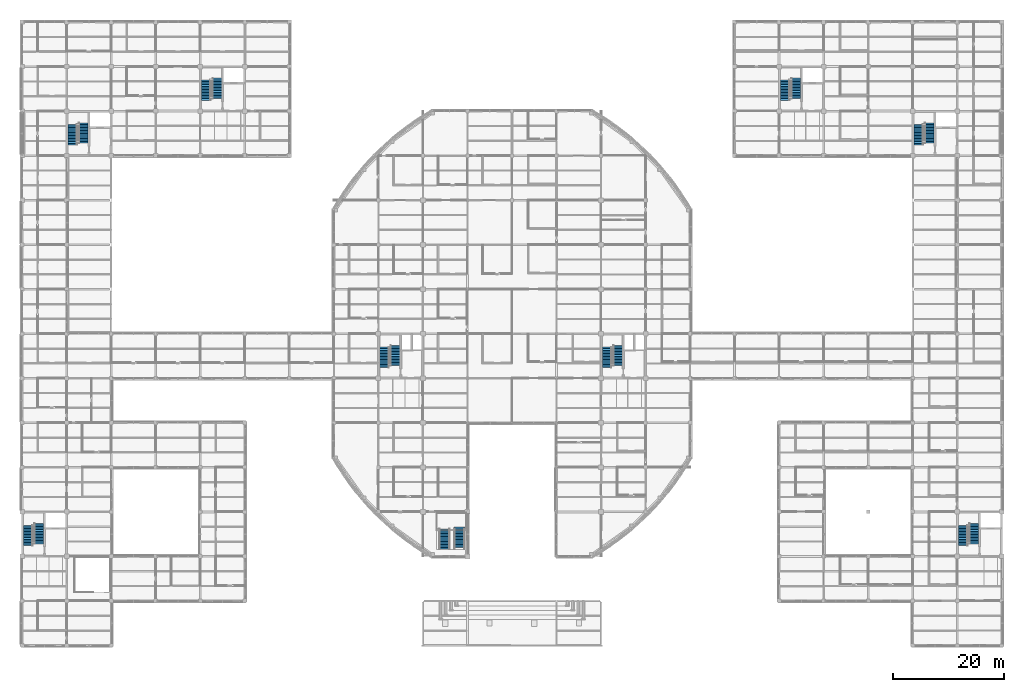
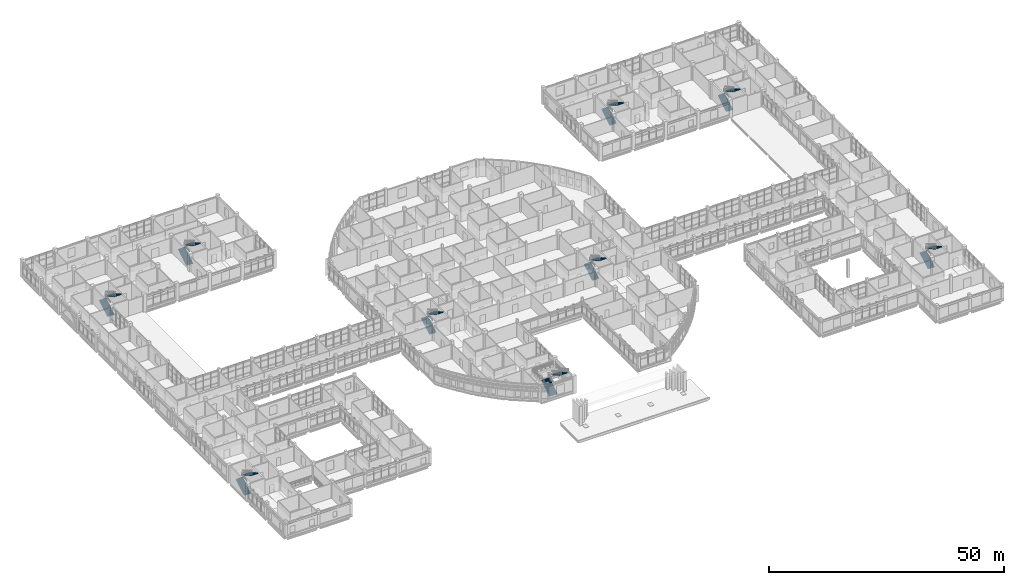
# One storey, part 98 of 121: 18 stair flights, 9 elements without a shape of their own.
"""IFC4 building model written with IfcOpenShell, lengths in metres."""

from ifc_helpers import new_model, si_unit, derived_unit, direction, frame, origin, place, context, subcontext, project, spatial, polyline, outline, extrude, material, type_object, element, aggregate, save


model = new_model("IFC4")

# Units and contexts
model_context = context("Model", 3, precision=1e-05, world=origin(), true_north=direction((0.0, 1.0)))
body_context = subcontext(model_context, "Body", "Model", "MODEL_VIEW")
ifc_project = project(units=[si_unit("LENGTHUNIT", "METRE"), si_unit("AREAUNIT", "SQUARE_METRE"), si_unit("VOLUMEUNIT", "CUBIC_METRE"), si_unit("PLANEANGLEUNIT", "RADIAN"), si_unit("MASSUNIT", "GRAM", prefix="KILO"), derived_unit("THERMALTRANSMITTANCEUNIT", [(si_unit("MASSUNIT", "GRAM", prefix="KILO"), 1), (si_unit("TIMEUNIT", "SECOND"), -3), (si_unit("THERMODYNAMICTEMPERATUREUNIT", "KELVIN"), -1)])], contexts=[model_context])

# Site, building, storey
site_placement = place(None, origin())
site = spatial("IfcSite", under=ifc_project, at=site_placement, CompositionType="ELEMENT")
building_placement = place(site_placement, origin())
building = spatial("IfcBuilding", under=site, at=building_placement, Name="Veyamyaing Civic Hall", CompositionType="ELEMENT")
storey_placement = place(building_placement, frame((0.0, 0.0, 5.280029296875)))
storey = spatial("IfcBuildingStorey", under=building, at=storey_placement, Name="L01", CompositionType="ELEMENT", Elevation=5.280029296875)

# Stair, stair flights
ifc_material = material(Name="Concrete C40/50", Category="concrete")
stair_type_1 = type_object("IfcStairType", Name="ST-C", PredefinedType="HALF_TURN_STAIR", material=ifc_material)
stair_1_placement = place(storey_placement, origin())
stair_1 = element("IfcStair", 1, at=stair_1_placement, inside=storey, type_object=stair_type_1, Name="Protected exit stair ST-01 L01", PredefinedType="HALF_TURN_STAIR")
stair_flight_type_1 = type_object("IfcStairFlightType", Name="SF-14", PredefinedType="STRAIGHT", material=ifc_material)
stair_flight_1_placement = place(storey_placement, frame((9.0400390625, 89.949951171875, 0.0), z_axis=(0.0, 0.0, 1.0), x_axis=(0.0, 1.0, 0.0)))
stair_flight_1 = element("IfcStairFlight", 2, at=stair_flight_1_placement, type_object=stair_flight_type_1, Name="ST-01 flight 1", NumberOfRisers=14, NumberOfTreads=13, PredefinedType="STRAIGHT", RiserHeight=0.165, TreadLength=0.28, context=body_context, shape_type="SweptSolid", body=[
    extrude(outline(polyline([(0.0, 0.0), (0.0, 0.1650390625), (0.280029296875, 0.1650390625), (0.280029296875, 0.330078125), (0.56005859375, 0.330078125), (0.56005859375, 0.4951171875), (0.840087890625, 0.4951171875), (0.840087890625, 0.659912109375), (1.1201171875, 0.659912109375), (1.1201171875, 0.824951171875), (1.39990234375, 0.824951171875), (1.39990234375, 0.989990234375), (1.679931640625, 0.989990234375), (1.679931640625, 1.155029296875), (1.9599609375, 1.155029296875), (1.9599609375, 1.320068359375), (2.239990234375, 1.320068359375), (2.239990234375, 1.485107421875), (2.52001953125, 1.485107421875), (2.52001953125, 1.64990234375), (2.800048828125, 1.64990234375), (2.800048828125, 1.81494140625), (3.080078125, 1.81494140625), (3.080078125, 1.97998046875), (3.360107421875, 1.97998046875), (3.360107421875, 2.14501953125), (3.639892578125, 2.14501953125), (3.639892578125, 2.31005859375), (3.639892578125, 1.970947265625), (0.295166015625, 0.0), (0.0, 0.0)])), frame((0.0, 0.81982421875, 0.0), z_axis=(0.0, -1.0, 0.0), x_axis=(1.0, 0.0, 0.0)), (0.0, 0.0, 1.0), 1.639892578125),
])
stair_flight_2_placement = place(storey_placement, frame((11.030029296875, 93.909912109375, 2.31005859375), z_axis=(0.0, 0.0, 1.0), x_axis=(0.0, -1.0, 0.0)))
stair_flight_2 = element("IfcStairFlight", 3, at=stair_flight_2_placement, type_object=stair_flight_type_1, Name="ST-01 flight 2", NumberOfRisers=14, NumberOfTreads=13, PredefinedType="STRAIGHT", RiserHeight=0.165, TreadLength=0.28, context=body_context, shape_type="SweptSolid", body=[
    extrude(outline(polyline([(0.0, 0.0), (0.0, 0.1650390625), (0.280029296875, 0.1650390625), (0.280029296875, 0.330078125), (0.56005859375, 0.330078125), (0.56005859375, 0.4951171875), (0.840087890625, 0.4951171875), (0.840087890625, 0.659912109375), (1.1201171875, 0.659912109375), (1.1201171875, 0.824951171875), (1.39990234375, 0.824951171875), (1.39990234375, 0.989990234375), (1.679931640625, 0.989990234375), (1.679931640625, 1.155029296875), (1.9599609375, 1.155029296875), (1.9599609375, 1.320068359375), (2.239990234375, 1.320068359375), (2.239990234375, 1.485107421875), (2.52001953125, 1.485107421875), (2.52001953125, 1.64990234375), (2.800048828125, 1.64990234375), (2.800048828125, 1.81494140625), (3.080078125, 1.81494140625), (3.080078125, 1.97998046875), (3.360107421875, 1.97998046875), (3.360107421875, 2.14501953125), (3.639892578125, 2.14501953125), (3.639892578125, 2.31005859375), (3.639892578125, 1.970947265625), (0.295166015625, 0.0), (0.0, 0.0)])), frame((0.0, 0.81982421875, 0.0), z_axis=(0.0, -1.0, 0.0), x_axis=(1.0, 0.0, 0.0)), (0.0, 0.0, 1.0), 1.639892578125),
])
aggregate(stair_1, [stair_flight_1, stair_flight_2])

stair_2_placement = place(storey_placement, origin())
stair_2 = element("IfcStair", 4, at=stair_2_placement, inside=storey, type_object=stair_type_1, Name="Protected exit stair ST-02 L01", PredefinedType="HALF_TURN_STAIR")
stair_flight_3_placement = place(storey_placement, frame((33.0400390625, 97.949951171875, 0.0), z_axis=(0.0, 0.0, 1.0), x_axis=(0.0, 1.0, 0.0)))
stair_flight_3 = element("IfcStairFlight", 5, at=stair_flight_3_placement, type_object=stair_flight_type_1, Name="ST-02 flight 1", NumberOfRisers=14, NumberOfTreads=13, PredefinedType="STRAIGHT", RiserHeight=0.165, TreadLength=0.28, context=body_context, shape_type="SweptSolid", body=[
    extrude(outline(polyline([(0.0, 0.0), (0.0, 0.1650390625), (0.280029296875, 0.1650390625), (0.280029296875, 0.330078125), (0.56005859375, 0.330078125), (0.56005859375, 0.4951171875), (0.840087890625, 0.4951171875), (0.840087890625, 0.659912109375), (1.1201171875, 0.659912109375), (1.1201171875, 0.824951171875), (1.39990234375, 0.824951171875), (1.39990234375, 0.989990234375), (1.679931640625, 0.989990234375), (1.679931640625, 1.155029296875), (1.9599609375, 1.155029296875), (1.9599609375, 1.320068359375), (2.239990234375, 1.320068359375), (2.239990234375, 1.485107421875), (2.52001953125, 1.485107421875), (2.52001953125, 1.64990234375), (2.800048828125, 1.64990234375), (2.800048828125, 1.81494140625), (3.080078125, 1.81494140625), (3.080078125, 1.97998046875), (3.360107421875, 1.97998046875), (3.360107421875, 2.14501953125), (3.639892578125, 2.14501953125), (3.639892578125, 2.31005859375), (3.639892578125, 1.970947265625), (0.295166015625, 0.0), (0.0, 0.0)])), frame((0.0, 0.81982421875, 0.0), z_axis=(0.0, -1.0, 0.0), x_axis=(1.0, 0.0, 0.0)), (0.0, 0.0, 1.0), 1.639892578125),
])
stair_flight_4_placement = place(storey_placement, frame((35.030029296875, 101.909912109375, 2.31005859375), z_axis=(0.0, 0.0, 1.0), x_axis=(0.0, -1.0, 0.0)))
stair_flight_4 = element("IfcStairFlight", 6, at=stair_flight_4_placement, type_object=stair_flight_type_1, Name="ST-02 flight 2", NumberOfRisers=14, NumberOfTreads=13, PredefinedType="STRAIGHT", RiserHeight=0.165, TreadLength=0.28, context=body_context, shape_type="SweptSolid", body=[
    extrude(outline(polyline([(0.0, 0.0), (0.0, 0.1650390625), (0.280029296875, 0.1650390625), (0.280029296875, 0.330078125), (0.56005859375, 0.330078125), (0.56005859375, 0.4951171875), (0.840087890625, 0.4951171875), (0.840087890625, 0.659912109375), (1.1201171875, 0.659912109375), (1.1201171875, 0.824951171875), (1.39990234375, 0.824951171875), (1.39990234375, 0.989990234375), (1.679931640625, 0.989990234375), (1.679931640625, 1.155029296875), (1.9599609375, 1.155029296875), (1.9599609375, 1.320068359375), (2.239990234375, 1.320068359375), (2.239990234375, 1.485107421875), (2.52001953125, 1.485107421875), (2.52001953125, 1.64990234375), (2.800048828125, 1.64990234375), (2.800048828125, 1.81494140625), (3.080078125, 1.81494140625), (3.080078125, 1.97998046875), (3.360107421875, 1.97998046875), (3.360107421875, 2.14501953125), (3.639892578125, 2.14501953125), (3.639892578125, 2.31005859375), (3.639892578125, 1.970947265625), (0.295166015625, 0.0), (0.0, 0.0)])), frame((0.0, 0.81982421875, 0.0), z_axis=(0.0, -1.0, 0.0), x_axis=(1.0, 0.0, 0.0)), (0.0, 0.0, 1.0), 1.639892578125),
])
aggregate(stair_2, [stair_flight_3, stair_flight_4])

stair_3_placement = place(storey_placement, origin())
stair_3 = element("IfcStair", 7, at=stair_3_placement, inside=storey, type_object=stair_type_1, Name="Protected exit stair ST-03 L01", PredefinedType="HALF_TURN_STAIR")
stair_flight_5_placement = place(storey_placement, frame((161.0400390625, 89.949951171875, 0.0), z_axis=(0.0, 0.0, 1.0), x_axis=(0.0, 1.0, 0.0)))
stair_flight_5 = element("IfcStairFlight", 8, at=stair_flight_5_placement, type_object=stair_flight_type_1, Name="ST-03 flight 1", NumberOfRisers=14, NumberOfTreads=13, PredefinedType="STRAIGHT", RiserHeight=0.165, TreadLength=0.28, context=body_context, shape_type="SweptSolid", body=[
    extrude(outline(polyline([(0.0, 0.0), (0.0, 0.1650390625), (0.280029296875, 0.1650390625), (0.280029296875, 0.330078125), (0.56005859375, 0.330078125), (0.56005859375, 0.4951171875), (0.840087890625, 0.4951171875), (0.840087890625, 0.659912109375), (1.1201171875, 0.659912109375), (1.1201171875, 0.824951171875), (1.39990234375, 0.824951171875), (1.39990234375, 0.989990234375), (1.679931640625, 0.989990234375), (1.679931640625, 1.155029296875), (1.9599609375, 1.155029296875), (1.9599609375, 1.320068359375), (2.239990234375, 1.320068359375), (2.239990234375, 1.485107421875), (2.52001953125, 1.485107421875), (2.52001953125, 1.64990234375), (2.800048828125, 1.64990234375), (2.800048828125, 1.81494140625), (3.080078125, 1.81494140625), (3.080078125, 1.97998046875), (3.360107421875, 1.97998046875), (3.360107421875, 2.14501953125), (3.639892578125, 2.14501953125), (3.639892578125, 2.31005859375), (3.639892578125, 1.970947265625), (0.295166015625, 0.0), (0.0, 0.0)])), frame((0.0, 0.81982421875, 0.0), z_axis=(0.0, -1.0, 0.0), x_axis=(1.0, 0.0, 0.0)), (0.0, 0.0, 1.0), 1.639892578125),
])
stair_flight_6_placement = place(storey_placement, frame((163.030029296875, 93.909912109375, 2.31005859375), z_axis=(0.0, 0.0, 1.0), x_axis=(0.0, -1.0, 0.0)))
stair_flight_6 = element("IfcStairFlight", 9, at=stair_flight_6_placement, type_object=stair_flight_type_1, Name="ST-03 flight 2", NumberOfRisers=14, NumberOfTreads=13, PredefinedType="STRAIGHT", RiserHeight=0.165, TreadLength=0.28, context=body_context, shape_type="SweptSolid", body=[
    extrude(outline(polyline([(0.0, 0.0), (0.0, 0.1650390625), (0.280029296875, 0.1650390625), (0.280029296875, 0.330078125), (0.56005859375, 0.330078125), (0.56005859375, 0.4951171875), (0.840087890625, 0.4951171875), (0.840087890625, 0.659912109375), (1.1201171875, 0.659912109375), (1.1201171875, 0.824951171875), (1.39990234375, 0.824951171875), (1.39990234375, 0.989990234375), (1.679931640625, 0.989990234375), (1.679931640625, 1.155029296875), (1.9599609375, 1.155029296875), (1.9599609375, 1.320068359375), (2.239990234375, 1.320068359375), (2.239990234375, 1.485107421875), (2.52001953125, 1.485107421875), (2.52001953125, 1.64990234375), (2.800048828125, 1.64990234375), (2.800048828125, 1.81494140625), (3.080078125, 1.81494140625), (3.080078125, 1.97998046875), (3.360107421875, 1.97998046875), (3.360107421875, 2.14501953125), (3.639892578125, 2.14501953125), (3.639892578125, 2.31005859375), (3.639892578125, 1.970947265625), (0.295166015625, 0.0), (0.0, 0.0)])), frame((0.0, 0.81982421875, 0.0), z_axis=(0.0, -1.0, 0.0), x_axis=(1.0, 0.0, 0.0)), (0.0, 0.0, 1.0), 1.639892578125),
])
aggregate(stair_3, [stair_flight_5, stair_flight_6])

stair_4_placement = place(storey_placement, origin())
stair_4 = element("IfcStair", 10, at=stair_4_placement, inside=storey, type_object=stair_type_1, Name="Protected exit stair ST-04 L01", PredefinedType="HALF_TURN_STAIR")
stair_flight_7_placement = place(storey_placement, frame((137.0400390625, 97.949951171875, 0.0), z_axis=(0.0, 0.0, 1.0), x_axis=(0.0, 1.0, 0.0)))
stair_flight_7 = element("IfcStairFlight", 11, at=stair_flight_7_placement, type_object=stair_flight_type_1, Name="ST-04 flight 1", NumberOfRisers=14, NumberOfTreads=13, PredefinedType="STRAIGHT", RiserHeight=0.165, TreadLength=0.28, context=body_context, shape_type="SweptSolid", body=[
    extrude(outline(polyline([(0.0, 0.0), (0.0, 0.1650390625), (0.280029296875, 0.1650390625), (0.280029296875, 0.330078125), (0.56005859375, 0.330078125), (0.56005859375, 0.4951171875), (0.840087890625, 0.4951171875), (0.840087890625, 0.659912109375), (1.1201171875, 0.659912109375), (1.1201171875, 0.824951171875), (1.39990234375, 0.824951171875), (1.39990234375, 0.989990234375), (1.679931640625, 0.989990234375), (1.679931640625, 1.155029296875), (1.9599609375, 1.155029296875), (1.9599609375, 1.320068359375), (2.239990234375, 1.320068359375), (2.239990234375, 1.485107421875), (2.52001953125, 1.485107421875), (2.52001953125, 1.64990234375), (2.800048828125, 1.64990234375), (2.800048828125, 1.81494140625), (3.080078125, 1.81494140625), (3.080078125, 1.97998046875), (3.360107421875, 1.97998046875), (3.360107421875, 2.14501953125), (3.639892578125, 2.14501953125), (3.639892578125, 2.31005859375), (3.639892578125, 1.970947265625), (0.295166015625, 0.0), (0.0, 0.0)])), frame((0.0, 0.81982421875, 0.0), z_axis=(0.0, -1.0, 0.0), x_axis=(1.0, 0.0, 0.0)), (0.0, 0.0, 1.0), 1.639892578125),
])
stair_flight_8_placement = place(storey_placement, frame((139.030029296875, 101.909912109375, 2.31005859375), z_axis=(0.0, 0.0, 1.0), x_axis=(0.0, -1.0, 0.0)))
stair_flight_8 = element("IfcStairFlight", 12, at=stair_flight_8_placement, type_object=stair_flight_type_1, Name="ST-04 flight 2", NumberOfRisers=14, NumberOfTreads=13, PredefinedType="STRAIGHT", RiserHeight=0.165, TreadLength=0.28, context=body_context, shape_type="SweptSolid", body=[
    extrude(outline(polyline([(0.0, 0.0), (0.0, 0.1650390625), (0.280029296875, 0.1650390625), (0.280029296875, 0.330078125), (0.56005859375, 0.330078125), (0.56005859375, 0.4951171875), (0.840087890625, 0.4951171875), (0.840087890625, 0.659912109375), (1.1201171875, 0.659912109375), (1.1201171875, 0.824951171875), (1.39990234375, 0.824951171875), (1.39990234375, 0.989990234375), (1.679931640625, 0.989990234375), (1.679931640625, 1.155029296875), (1.9599609375, 1.155029296875), (1.9599609375, 1.320068359375), (2.239990234375, 1.320068359375), (2.239990234375, 1.485107421875), (2.52001953125, 1.485107421875), (2.52001953125, 1.64990234375), (2.800048828125, 1.64990234375), (2.800048828125, 1.81494140625), (3.080078125, 1.81494140625), (3.080078125, 1.97998046875), (3.360107421875, 1.97998046875), (3.360107421875, 2.14501953125), (3.639892578125, 2.14501953125), (3.639892578125, 2.31005859375), (3.639892578125, 1.970947265625), (0.295166015625, 0.0), (0.0, 0.0)])), frame((0.0, 0.81982421875, 0.0), z_axis=(0.0, -1.0, 0.0), x_axis=(1.0, 0.0, 0.0)), (0.0, 0.0, 1.0), 1.639892578125),
])
aggregate(stair_4, [stair_flight_7, stair_flight_8])

stair_5_placement = place(storey_placement, origin())
stair_5 = element("IfcStair", 13, at=stair_5_placement, inside=storey, type_object=stair_type_1, Name="Protected exit stair ST-05 L01", PredefinedType="HALF_TURN_STAIR")
stair_flight_9_placement = place(storey_placement, frame((65.0400390625, 49.949951171875, 0.0), z_axis=(0.0, 0.0, 1.0), x_axis=(0.0, 1.0, 0.0)))
stair_flight_9 = element("IfcStairFlight", 14, at=stair_flight_9_placement, type_object=stair_flight_type_1, Name="ST-05 flight 1", NumberOfRisers=14, NumberOfTreads=13, PredefinedType="STRAIGHT", RiserHeight=0.165, TreadLength=0.28, context=body_context, shape_type="SweptSolid", body=[
    extrude(outline(polyline([(0.0, 0.0), (0.0, 0.1650390625), (0.280029296875, 0.1650390625), (0.280029296875, 0.330078125), (0.56005859375, 0.330078125), (0.56005859375, 0.4951171875), (0.840087890625, 0.4951171875), (0.840087890625, 0.659912109375), (1.1201171875, 0.659912109375), (1.1201171875, 0.824951171875), (1.39990234375, 0.824951171875), (1.39990234375, 0.989990234375), (1.679931640625, 0.989990234375), (1.679931640625, 1.155029296875), (1.9599609375, 1.155029296875), (1.9599609375, 1.320068359375), (2.239990234375, 1.320068359375), (2.239990234375, 1.485107421875), (2.52001953125, 1.485107421875), (2.52001953125, 1.64990234375), (2.800048828125, 1.64990234375), (2.800048828125, 1.81494140625), (3.080078125, 1.81494140625), (3.080078125, 1.97998046875), (3.360107421875, 1.97998046875), (3.360107421875, 2.14501953125), (3.639892578125, 2.14501953125), (3.639892578125, 2.31005859375), (3.639892578125, 1.970947265625), (0.295166015625, 0.0), (0.0, 0.0)])), frame((0.0, 0.81982421875, 0.0), z_axis=(0.0, -1.0, 0.0), x_axis=(1.0, 0.0, 0.0)), (0.0, 0.0, 1.0), 1.639892578125),
])
stair_flight_10_placement = place(storey_placement, frame((67.030029296875, 53.909912109375, 2.31005859375), z_axis=(0.0, 0.0, 1.0), x_axis=(0.0, -1.0, 0.0)))
stair_flight_10 = element("IfcStairFlight", 15, at=stair_flight_10_placement, type_object=stair_flight_type_1, Name="ST-05 flight 2", NumberOfRisers=14, NumberOfTreads=13, PredefinedType="STRAIGHT", RiserHeight=0.165, TreadLength=0.28, context=body_context, shape_type="SweptSolid", body=[
    extrude(outline(polyline([(0.0, 0.0), (0.0, 0.1650390625), (0.280029296875, 0.1650390625), (0.280029296875, 0.330078125), (0.56005859375, 0.330078125), (0.56005859375, 0.4951171875), (0.840087890625, 0.4951171875), (0.840087890625, 0.659912109375), (1.1201171875, 0.659912109375), (1.1201171875, 0.824951171875), (1.39990234375, 0.824951171875), (1.39990234375, 0.989990234375), (1.679931640625, 0.989990234375), (1.679931640625, 1.155029296875), (1.9599609375, 1.155029296875), (1.9599609375, 1.320068359375), (2.239990234375, 1.320068359375), (2.239990234375, 1.485107421875), (2.52001953125, 1.485107421875), (2.52001953125, 1.64990234375), (2.800048828125, 1.64990234375), (2.800048828125, 1.81494140625), (3.080078125, 1.81494140625), (3.080078125, 1.97998046875), (3.360107421875, 1.97998046875), (3.360107421875, 2.14501953125), (3.639892578125, 2.14501953125), (3.639892578125, 2.31005859375), (3.639892578125, 1.970947265625), (0.295166015625, 0.0), (0.0, 0.0)])), frame((0.0, 0.81982421875, 0.0), z_axis=(0.0, -1.0, 0.0), x_axis=(1.0, 0.0, 0.0)), (0.0, 0.0, 1.0), 1.639892578125),
])
aggregate(stair_5, [stair_flight_9, stair_flight_10])

stair_6_placement = place(storey_placement, origin())
stair_6 = element("IfcStair", 16, at=stair_6_placement, inside=storey, type_object=stair_type_1, Name="Protected exit stair ST-06 L01", PredefinedType="HALF_TURN_STAIR")
stair_flight_11_placement = place(storey_placement, frame((105.0400390625, 49.949951171875, 0.0), z_axis=(0.0, 0.0, 1.0), x_axis=(0.0, 1.0, 0.0)))
stair_flight_11 = element("IfcStairFlight", 17, at=stair_flight_11_placement, type_object=stair_flight_type_1, Name="ST-06 flight 1", NumberOfRisers=14, NumberOfTreads=13, PredefinedType="STRAIGHT", RiserHeight=0.165, TreadLength=0.28, context=body_context, shape_type="SweptSolid", body=[
    extrude(outline(polyline([(0.0, 0.0), (0.0, 0.1650390625), (0.280029296875, 0.1650390625), (0.280029296875, 0.330078125), (0.56005859375, 0.330078125), (0.56005859375, 0.4951171875), (0.840087890625, 0.4951171875), (0.840087890625, 0.659912109375), (1.1201171875, 0.659912109375), (1.1201171875, 0.824951171875), (1.39990234375, 0.824951171875), (1.39990234375, 0.989990234375), (1.679931640625, 0.989990234375), (1.679931640625, 1.155029296875), (1.9599609375, 1.155029296875), (1.9599609375, 1.320068359375), (2.239990234375, 1.320068359375), (2.239990234375, 1.485107421875), (2.52001953125, 1.485107421875), (2.52001953125, 1.64990234375), (2.800048828125, 1.64990234375), (2.800048828125, 1.81494140625), (3.080078125, 1.81494140625), (3.080078125, 1.97998046875), (3.360107421875, 1.97998046875), (3.360107421875, 2.14501953125), (3.639892578125, 2.14501953125), (3.639892578125, 2.31005859375), (3.639892578125, 1.970947265625), (0.295166015625, 0.0), (0.0, 0.0)])), frame((0.0, 0.81982421875, 0.0), z_axis=(0.0, -1.0, 0.0), x_axis=(1.0, 0.0, 0.0)), (0.0, 0.0, 1.0), 1.639892578125),
])
stair_flight_12_placement = place(storey_placement, frame((107.030029296875, 53.909912109375, 2.31005859375), z_axis=(0.0, 0.0, 1.0), x_axis=(0.0, -1.0, 0.0)))
stair_flight_12 = element("IfcStairFlight", 18, at=stair_flight_12_placement, type_object=stair_flight_type_1, Name="ST-06 flight 2", NumberOfRisers=14, NumberOfTreads=13, PredefinedType="STRAIGHT", RiserHeight=0.165, TreadLength=0.28, context=body_context, shape_type="SweptSolid", body=[
    extrude(outline(polyline([(0.0, 0.0), (0.0, 0.1650390625), (0.280029296875, 0.1650390625), (0.280029296875, 0.330078125), (0.56005859375, 0.330078125), (0.56005859375, 0.4951171875), (0.840087890625, 0.4951171875), (0.840087890625, 0.659912109375), (1.1201171875, 0.659912109375), (1.1201171875, 0.824951171875), (1.39990234375, 0.824951171875), (1.39990234375, 0.989990234375), (1.679931640625, 0.989990234375), (1.679931640625, 1.155029296875), (1.9599609375, 1.155029296875), (1.9599609375, 1.320068359375), (2.239990234375, 1.320068359375), (2.239990234375, 1.485107421875), (2.52001953125, 1.485107421875), (2.52001953125, 1.64990234375), (2.800048828125, 1.64990234375), (2.800048828125, 1.81494140625), (3.080078125, 1.81494140625), (3.080078125, 1.97998046875), (3.360107421875, 1.97998046875), (3.360107421875, 2.14501953125), (3.639892578125, 2.14501953125), (3.639892578125, 2.31005859375), (3.639892578125, 1.970947265625), (0.295166015625, 0.0), (0.0, 0.0)])), frame((0.0, 0.81982421875, 0.0), z_axis=(0.0, -1.0, 0.0), x_axis=(1.0, 0.0, 0.0)), (0.0, 0.0, 1.0), 1.639892578125),
])
aggregate(stair_6, [stair_flight_11, stair_flight_12])

stair_7_placement = place(storey_placement, origin())
stair_7 = element("IfcStair", 19, at=stair_7_placement, inside=storey, type_object=stair_type_1, Name="Protected exit stair ST-09 L01", PredefinedType="HALF_TURN_STAIR")
stair_flight_13_placement = place(storey_placement, frame((1.0400390625, 17.949951171875, 0.0), z_axis=(0.0, 0.0, 1.0), x_axis=(0.0, 1.0, 0.0)))
stair_flight_13 = element("IfcStairFlight", 20, at=stair_flight_13_placement, type_object=stair_flight_type_1, Name="ST-09 flight 1", NumberOfRisers=14, NumberOfTreads=13, PredefinedType="STRAIGHT", RiserHeight=0.165, TreadLength=0.28, context=body_context, shape_type="SweptSolid", body=[
    extrude(outline(polyline([(0.0, 0.0), (0.0, 0.1650390625), (0.280029296875, 0.1650390625), (0.280029296875, 0.330078125), (0.56005859375, 0.330078125), (0.56005859375, 0.4951171875), (0.840087890625, 0.4951171875), (0.840087890625, 0.659912109375), (1.1201171875, 0.659912109375), (1.1201171875, 0.824951171875), (1.39990234375, 0.824951171875), (1.39990234375, 0.989990234375), (1.679931640625, 0.989990234375), (1.679931640625, 1.155029296875), (1.9599609375, 1.155029296875), (1.9599609375, 1.320068359375), (2.239990234375, 1.320068359375), (2.239990234375, 1.485107421875), (2.52001953125, 1.485107421875), (2.52001953125, 1.64990234375), (2.800048828125, 1.64990234375), (2.800048828125, 1.81494140625), (3.080078125, 1.81494140625), (3.080078125, 1.97998046875), (3.360107421875, 1.97998046875), (3.360107421875, 2.14501953125), (3.639892578125, 2.14501953125), (3.639892578125, 2.31005859375), (3.639892578125, 1.970947265625), (0.295166015625, 0.0), (0.0, 0.0)])), frame((0.0, 0.81982421875, 0.0), z_axis=(0.0, -1.0, 0.0), x_axis=(1.0, 0.0, 0.0)), (0.0, 0.0, 1.0), 1.639892578125),
])
stair_flight_14_placement = place(storey_placement, frame((3.030029296875, 21.909912109375, 2.31005859375), z_axis=(0.0, 0.0, 1.0), x_axis=(0.0, -1.0, 0.0)))
stair_flight_14 = element("IfcStairFlight", 21, at=stair_flight_14_placement, type_object=stair_flight_type_1, Name="ST-09 flight 2", NumberOfRisers=14, NumberOfTreads=13, PredefinedType="STRAIGHT", RiserHeight=0.165, TreadLength=0.28, context=body_context, shape_type="SweptSolid", body=[
    extrude(outline(polyline([(0.0, 0.0), (0.0, 0.1650390625), (0.280029296875, 0.1650390625), (0.280029296875, 0.330078125), (0.56005859375, 0.330078125), (0.56005859375, 0.4951171875), (0.840087890625, 0.4951171875), (0.840087890625, 0.659912109375), (1.1201171875, 0.659912109375), (1.1201171875, 0.824951171875), (1.39990234375, 0.824951171875), (1.39990234375, 0.989990234375), (1.679931640625, 0.989990234375), (1.679931640625, 1.155029296875), (1.9599609375, 1.155029296875), (1.9599609375, 1.320068359375), (2.239990234375, 1.320068359375), (2.239990234375, 1.485107421875), (2.52001953125, 1.485107421875), (2.52001953125, 1.64990234375), (2.800048828125, 1.64990234375), (2.800048828125, 1.81494140625), (3.080078125, 1.81494140625), (3.080078125, 1.97998046875), (3.360107421875, 1.97998046875), (3.360107421875, 2.14501953125), (3.639892578125, 2.14501953125), (3.639892578125, 2.31005859375), (3.639892578125, 1.970947265625), (0.295166015625, 0.0), (0.0, 0.0)])), frame((0.0, 0.81982421875, 0.0), z_axis=(0.0, -1.0, 0.0), x_axis=(1.0, 0.0, 0.0)), (0.0, 0.0, 1.0), 1.639892578125),
])
aggregate(stair_7, [stair_flight_13, stair_flight_14])

stair_8_placement = place(storey_placement, origin())
stair_8 = element("IfcStair", 22, at=stair_8_placement, inside=storey, type_object=stair_type_1, Name="Protected exit stair ST-10 L01", PredefinedType="HALF_TURN_STAIR")
stair_flight_15_placement = place(storey_placement, frame((169.0400390625, 17.949951171875, 0.0), z_axis=(0.0, 0.0, 1.0), x_axis=(0.0, 1.0, 0.0)))
stair_flight_15 = element("IfcStairFlight", 23, at=stair_flight_15_placement, type_object=stair_flight_type_1, Name="ST-10 flight 1", NumberOfRisers=14, NumberOfTreads=13, PredefinedType="STRAIGHT", RiserHeight=0.165, TreadLength=0.28, context=body_context, shape_type="SweptSolid", body=[
    extrude(outline(polyline([(0.0, 0.0), (0.0, 0.1650390625), (0.280029296875, 0.1650390625), (0.280029296875, 0.330078125), (0.56005859375, 0.330078125), (0.56005859375, 0.4951171875), (0.840087890625, 0.4951171875), (0.840087890625, 0.659912109375), (1.1201171875, 0.659912109375), (1.1201171875, 0.824951171875), (1.39990234375, 0.824951171875), (1.39990234375, 0.989990234375), (1.679931640625, 0.989990234375), (1.679931640625, 1.155029296875), (1.9599609375, 1.155029296875), (1.9599609375, 1.320068359375), (2.239990234375, 1.320068359375), (2.239990234375, 1.485107421875), (2.52001953125, 1.485107421875), (2.52001953125, 1.64990234375), (2.800048828125, 1.64990234375), (2.800048828125, 1.81494140625), (3.080078125, 1.81494140625), (3.080078125, 1.97998046875), (3.360107421875, 1.97998046875), (3.360107421875, 2.14501953125), (3.639892578125, 2.14501953125), (3.639892578125, 2.31005859375), (3.639892578125, 1.970947265625), (0.295166015625, 0.0), (0.0, 0.0)])), frame((0.0, 0.81982421875, 0.0), z_axis=(0.0, -1.0, 0.0), x_axis=(1.0, 0.0, 0.0)), (0.0, 0.0, 1.0), 1.639892578125),
])
stair_flight_16_placement = place(storey_placement, frame((171.030029296875, 21.909912109375, 2.31005859375), z_axis=(0.0, 0.0, 1.0), x_axis=(0.0, -1.0, 0.0)))
stair_flight_16 = element("IfcStairFlight", 24, at=stair_flight_16_placement, type_object=stair_flight_type_1, Name="ST-10 flight 2", NumberOfRisers=14, NumberOfTreads=13, PredefinedType="STRAIGHT", RiserHeight=0.165, TreadLength=0.28, context=body_context, shape_type="SweptSolid", body=[
    extrude(outline(polyline([(0.0, 0.0), (0.0, 0.1650390625), (0.280029296875, 0.1650390625), (0.280029296875, 0.330078125), (0.56005859375, 0.330078125), (0.56005859375, 0.4951171875), (0.840087890625, 0.4951171875), (0.840087890625, 0.659912109375), (1.1201171875, 0.659912109375), (1.1201171875, 0.824951171875), (1.39990234375, 0.824951171875), (1.39990234375, 0.989990234375), (1.679931640625, 0.989990234375), (1.679931640625, 1.155029296875), (1.9599609375, 1.155029296875), (1.9599609375, 1.320068359375), (2.239990234375, 1.320068359375), (2.239990234375, 1.485107421875), (2.52001953125, 1.485107421875), (2.52001953125, 1.64990234375), (2.800048828125, 1.64990234375), (2.800048828125, 1.81494140625), (3.080078125, 1.81494140625), (3.080078125, 1.97998046875), (3.360107421875, 1.97998046875), (3.360107421875, 2.14501953125), (3.639892578125, 2.14501953125), (3.639892578125, 2.31005859375), (3.639892578125, 1.970947265625), (0.295166015625, 0.0), (0.0, 0.0)])), frame((0.0, 0.81982421875, 0.0), z_axis=(0.0, -1.0, 0.0), x_axis=(1.0, 0.0, 0.0)), (0.0, 0.0, 1.0), 1.639892578125),
])
aggregate(stair_8, [stair_flight_15, stair_flight_16])

stair_type_2 = type_object("IfcStairType", Name="ST-F", PredefinedType="HALF_TURN_STAIR", material=ifc_material)
stair_9_placement = place(storey_placement, origin())
stair_9 = element("IfcStair", 25, at=stair_9_placement, inside=storey, type_object=stair_type_2, Name="Council Chamber Ceremonial Stair ST-08", PredefinedType="HALF_TURN_STAIR")
stair_flight_type_2 = type_object("IfcStairFlightType", Name="SF-14W", PredefinedType="STRAIGHT", material=ifc_material)
stair_flight_17_placement = place(storey_placement, frame((75.85009765625, 17.300048828125, 0.0), z_axis=(0.0, 0.0, 1.0), x_axis=(0.0, 1.0, 0.0)))
stair_flight_17 = element("IfcStairFlight", 26, at=stair_flight_17_placement, type_object=stair_flight_type_2, Name="ST-08 flight 1", NumberOfRisers=14, NumberOfTreads=13, PredefinedType="STRAIGHT", RiserHeight=0.165, TreadLength=0.28, context=body_context, shape_type="SweptSolid", body=[
    extrude(outline(polyline([(0.0, 0.0), (0.0, 0.1650390625), (0.280029296875, 0.1650390625), (0.280029296875, 0.330078125), (0.56005859375, 0.330078125), (0.56005859375, 0.4951171875), (0.840087890625, 0.4951171875), (0.840087890625, 0.659912109375), (1.1201171875, 0.659912109375), (1.1201171875, 0.824951171875), (1.39990234375, 0.824951171875), (1.39990234375, 0.989990234375), (1.679931640625, 0.989990234375), (1.679931640625, 1.155029296875), (1.9599609375, 1.155029296875), (1.9599609375, 1.320068359375), (2.239990234375, 1.320068359375), (2.239990234375, 1.485107421875), (2.52001953125, 1.485107421875), (2.52001953125, 1.64990234375), (2.800048828125, 1.64990234375), (2.800048828125, 1.81494140625), (3.080078125, 1.81494140625), (3.080078125, 1.97998046875), (3.360107421875, 1.97998046875), (3.360107421875, 2.14501953125), (3.639892578125, 2.14501953125), (3.639892578125, 2.31005859375), (3.639892578125, 1.970947265625), (0.295166015625, 0.0), (0.0, 0.0)])), frame((0.0, 0.97509765625, 0.0), z_axis=(0.0, -1.0, 0.0), x_axis=(1.0, 0.0, 0.0)), (0.0, 0.0, 1.0), 1.949951171875),
])
stair_flight_18_placement = place(storey_placement, frame((78.550048828125, 21.239990234375, 2.31005859375), z_axis=(0.0, 0.0, 1.0), x_axis=(0.0, -1.0, 0.0)))
stair_flight_18 = element("IfcStairFlight", 27, at=stair_flight_18_placement, type_object=stair_flight_type_2, Name="ST-08 flight 2", NumberOfRisers=14, NumberOfTreads=13, PredefinedType="STRAIGHT", RiserHeight=0.165, TreadLength=0.28, context=body_context, shape_type="SweptSolid", body=[
    extrude(outline(polyline([(0.0, 0.0), (0.0, 0.1650390625), (0.280029296875, 0.1650390625), (0.280029296875, 0.330078125), (0.56005859375, 0.330078125), (0.56005859375, 0.4951171875), (0.840087890625, 0.4951171875), (0.840087890625, 0.659912109375), (1.1201171875, 0.659912109375), (1.1201171875, 0.824951171875), (1.39990234375, 0.824951171875), (1.39990234375, 0.989990234375), (1.679931640625, 0.989990234375), (1.679931640625, 1.155029296875), (1.9599609375, 1.155029296875), (1.9599609375, 1.320068359375), (2.239990234375, 1.320068359375), (2.239990234375, 1.485107421875), (2.52001953125, 1.485107421875), (2.52001953125, 1.64990234375), (2.800048828125, 1.64990234375), (2.800048828125, 1.81494140625), (3.080078125, 1.81494140625), (3.080078125, 1.97998046875), (3.360107421875, 1.97998046875), (3.360107421875, 2.14501953125), (3.639892578125, 2.14501953125), (3.639892578125, 2.31005859375), (3.639892578125, 1.970947265625), (0.295166015625, 0.0), (0.0, 0.0)])), frame((0.0, 0.97509765625, 0.0), z_axis=(0.0, -1.0, 0.0), x_axis=(1.0, 0.0, 0.0)), (0.0, 0.0, 1.0), 1.949951171875),
])
aggregate(stair_9, [stair_flight_17, stair_flight_18])

save(model, "model.ifc")
